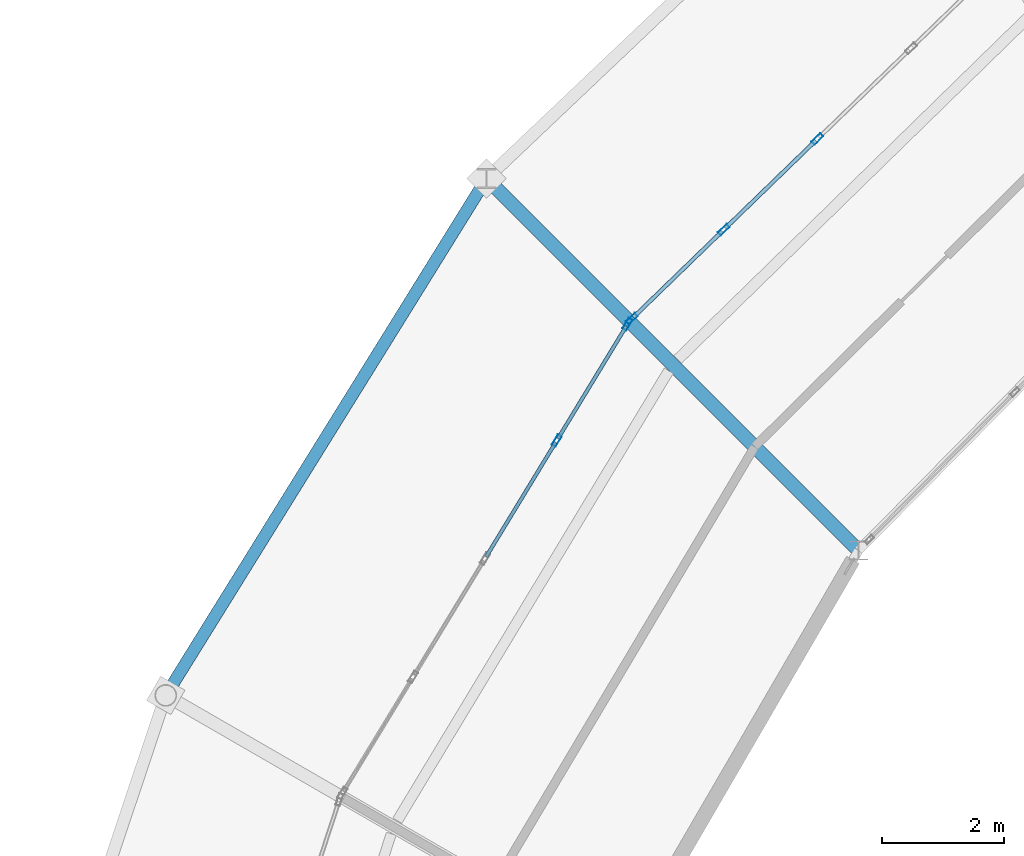
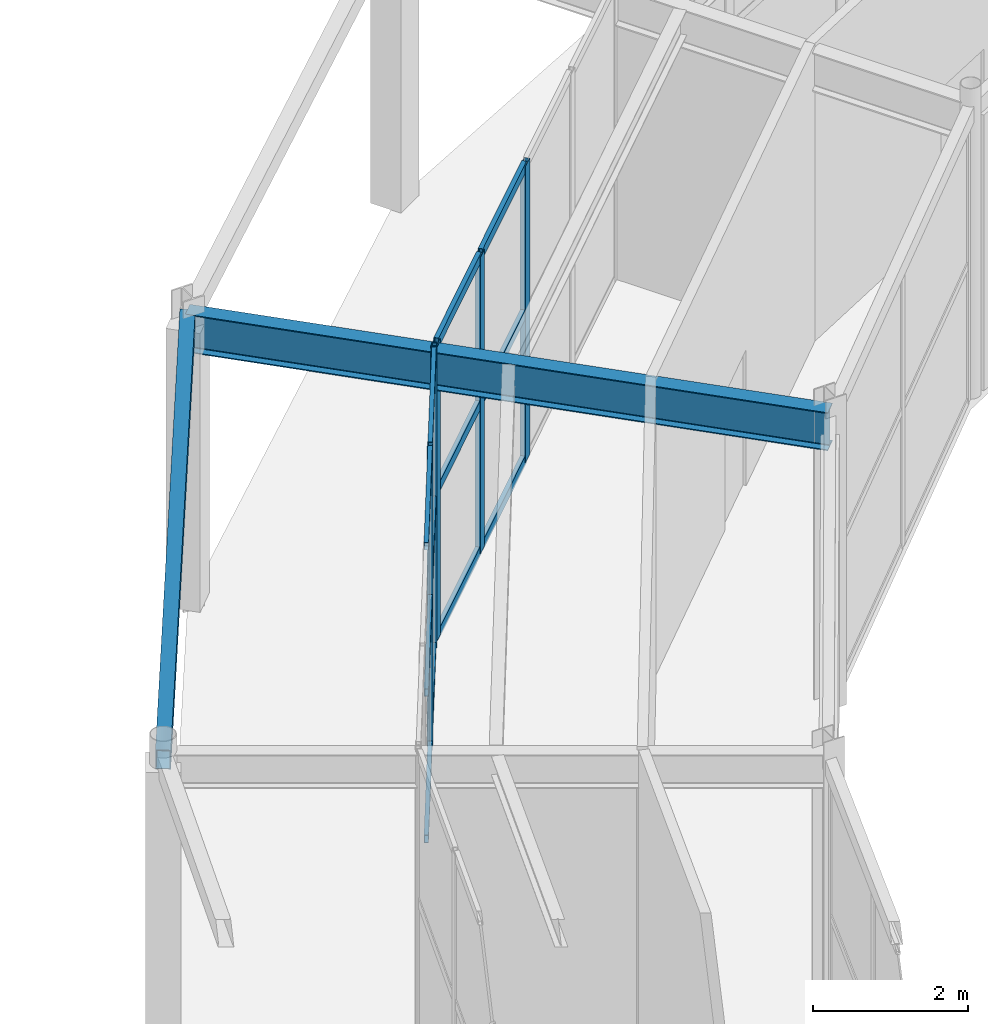
# One storey, part 77 of 144: 17 members, 2 beams, 2 elements without a shape of their own.
"""IFC4 building model written with IfcOpenShell, lengths in metres."""

from ifc_helpers import new_model, si_unit, direction, frame, origin, origin_2d, place, context, subcontext, project, spatial, hollow_rectangle, i_section, extrude, material, material_profile, profile_set, type_object, element, aggregate, save


model = new_model("IFC4")

# Units and contexts
model_context = context("Model", 3, precision=1e-05, world=origin(), true_north=direction((0.0, 1.0)))
body_context = subcontext(model_context, "Body", "Model", "MODEL_VIEW")
ifc_project = project(units=[si_unit("LENGTHUNIT", "METRE"), si_unit("AREAUNIT", "SQUARE_METRE"), si_unit("VOLUMEUNIT", "CUBIC_METRE"), si_unit("PLANEANGLEUNIT", "RADIAN"), si_unit("MASSUNIT", "GRAM", prefix="KILO")], contexts=[model_context])

# Site, building, storey
site_placement = place(None, origin())
site = spatial("IfcSite", under=ifc_project, at=site_placement, CompositionType="ELEMENT")
building_placement = place(site_placement, origin())
building = spatial("IfcBuilding", under=site, at=building_placement, Name="Karori Crest Natural Sciences Institute", CompositionType="ELEMENT")
storey_placement = place(building_placement, origin())
storey = spatial("IfcBuildingStorey", under=building, at=storey_placement, Name="L00", CompositionType="ELEMENT", Elevation=0.0)

# Beams
ifc_material_1 = material(Name="Hollow structural steel AS/NZS 1163 Grade C350", Category="steel")
ifc_material_profile_1 = material_profile(ifc_material_1, hollow_rectangle(XDim=0.199951171875, YDim=0.300048828125, WallThickness=0.010009765625, at=origin_2d()), Name="RHS300x200x10")
ifc_profile_set_1 = profile_set([ifc_material_profile_1], Name="Hollow structural steel AS/NZS 1163 Grade C350")
beam_type_1 = type_object("IfcBeamType", Name="BT-15", PredefinedType="SPANDREL", material=ifc_profile_set_1)
beam_1_placement = place(storey_placement, frame((43.0654296875, 78.75, 4.489990234375), z_axis=(-0.527315195609, -0.849669750244, 0.0), x_axis=(0.849669750244, -0.527315195609, 0.0)))
element("IfcBeam", 1, at=beam_1_placement, inside=storey, type_object=beam_type_1, Name="Beam B-0125", PredefinedType="SPANDREL", context=body_context, shape_type="SweptSolid", body=[
    extrude(hollow_rectangle(XDim=0.199951171875, YDim=0.300048828125, WallThickness=0.010009765625, at=origin_2d()), origin(), (0.0, 0.0, 1.0), 9.945068359375),
])
ifc_material_2 = material(Name="Structural steel AS/NZS 3679.1 Grade 350", Category="steel")
ifc_material_profile_2 = material_profile(ifc_material_2, i_section(OverallWidth=0.22802734375, OverallDepth=0.60205078125, WebThickness=0.010498046875, FlangeThickness=0.014892578125, FilletRadius=0.013916015625, at=origin_2d()), Name="610UB101")
ifc_profile_set_2 = profile_set([ifc_material_profile_2], Name="Structural steel AS/NZS 3679.1 Grade 350")
beam_type_2 = type_object("IfcBeamType", Name="BT-27", PredefinedType="BEAM", material=ifc_profile_set_2)
beam_2_placement = place(storey_placement, frame((49.146484375, 72.668701171875, 4.339111328125), z_axis=(-0.707092586958, 0.70712097513, 0.0), x_axis=(-0.70712097513, -0.707092586958, 0.0)))
element("IfcBeam", 2, at=beam_2_placement, inside=storey, type_object=beam_type_2, Name="Beam B-0127", PredefinedType="BEAM", context=body_context, shape_type="SweptSolid", body=[
    extrude(i_section(OverallWidth=0.22802734375, OverallDepth=0.60205078125, WebThickness=0.010498046875, FlangeThickness=0.014892578125, FilletRadius=0.013916015625, at=origin_2d()), origin(), (0.0, 0.0, 1.0), 8.60009765625),
])

# Curtain wall, members
ifc_material_3 = material(Name="Anodised architectural aluminium 6063-T6", Category="aluminium")
curtain_wall_type_1 = type_object("IfcCurtainWallType", Name="CWT-09", PredefinedType="NOTDEFINED", material=ifc_material_3)
curtain_wall_1_placement = place(storey_placement, origin())
curtain_wall_1 = element("IfcCurtainWall", 3, at=curtain_wall_1_placement, inside=storey, type_object=curtain_wall_type_1, Name="Curtain wall CW-0010", PredefinedType="NOTDEFINED")
ifc_material_profile_3 = material_profile(ifc_material_3, hollow_rectangle(XDim=0.074951171875, YDim=0.199951171875, WallThickness=0.0048828125, at=origin_2d()), Name="CWM200x75x5")
ifc_profile_set_3 = profile_set([ifc_material_profile_3], Name="Anodised architectural aluminium 6063-T6")
member_type_1 = type_object("IfcMemberType", Name="CWM-02", PredefinedType="MULLION", material=ifc_profile_set_3)
member_1_placement = place(storey_placement, frame((45.440185546875, 76.45654296875, 0.0), z_axis=(0.0, 0.0, 1.0), x_axis=(-0.695838899401, 0.718197901752, 0.0)))
member_1 = element("IfcMember", 4, at=member_1_placement, type_object=member_type_1, Name="CW-0010 mullion 1", PredefinedType="MULLION", context=body_context, shape_type="SweptSolid", body=[
    extrude(hollow_rectangle(XDim=0.074951171875, YDim=0.199951171875, WallThickness=0.0048828125, at=origin_2d()), origin(), (0.0, 0.0, 1.0), 4.679931640625),
])
member_2_placement = place(storey_placement, frame((46.94384765625, 77.913330078125, 0.0), z_axis=(0.0, 0.0, 1.0), x_axis=(-0.695838899401, 0.718197901752, 0.0)))
member_2 = element("IfcMember", 5, at=member_2_placement, type_object=member_type_1, Name="CW-0010 mullion 2", PredefinedType="MULLION", context=body_context, shape_type="SweptSolid", body=[
    extrude(hollow_rectangle(XDim=0.074951171875, YDim=0.199951171875, WallThickness=0.0048828125, at=origin_2d()), origin(), (0.0, 0.0, 1.0), 4.679931640625),
])
member_3_placement = place(storey_placement, frame((48.474365234375, 79.396240234375, 0.0), z_axis=(0.0, 0.0, 1.0), x_axis=(-0.695838899401, 0.718197901752, 0.0)))
member_3 = element("IfcMember", 6, at=member_3_placement, type_object=member_type_1, Name="CW-0010 mullion 3", PredefinedType="MULLION", context=body_context, shape_type="SweptSolid", body=[
    extrude(hollow_rectangle(XDim=0.074951171875, YDim=0.199951171875, WallThickness=0.0048828125, at=origin_2d()), origin(), (0.0, 0.0, 1.0), 4.679931640625),
])

curtain_wall_type_2 = type_object("IfcCurtainWallType", Name="CWT-10", PredefinedType="NOTDEFINED", material=ifc_material_3)
curtain_wall_2_placement = place(storey_placement, origin())
curtain_wall_2 = element("IfcCurtainWall", 7, at=curtain_wall_2_placement, inside=storey, type_object=curtain_wall_type_2, Name="Curtain wall CW-0012", PredefinedType="NOTDEFINED")
member_4_placement = place(storey_placement, frame((44.213623046875, 74.46630859375, 0.0), z_axis=(0.0, 0.0, 1.0), x_axis=(-0.854567337323, 0.519340606905, 0.0)))
member_4 = element("IfcMember", 8, at=member_4_placement, type_object=member_type_1, Name="CW-0012 mullion 4", PredefinedType="MULLION", context=body_context, shape_type="SweptSolid", body=[
    extrude(hollow_rectangle(XDim=0.074951171875, YDim=0.199951171875, WallThickness=0.0048828125, at=origin_2d()), origin(), (0.0, 0.0, 1.0), 4.679931640625),
])
member_5_placement = place(storey_placement, frame((45.369140625, 76.367431640625, 0.0), z_axis=(0.0, 0.0, 1.0), x_axis=(-0.854567337323, 0.519340606905, 0.0)))
member_5 = element("IfcMember", 9, at=member_5_placement, type_object=member_type_1, Name="CW-0012 mullion 5", PredefinedType="MULLION", context=body_context, shape_type="SweptSolid", body=[
    extrude(hollow_rectangle(XDim=0.074951171875, YDim=0.199951171875, WallThickness=0.0048828125, at=origin_2d()), origin(), (0.0, 0.0, 1.0), 4.679931640625),
])
ifc_material_profile_4 = material_profile(ifc_material_3, hollow_rectangle(XDim=0.06005859375, YDim=0.1201171875, WallThickness=0.00390625, at=origin_2d()), Name="CWT120x60x4")
ifc_profile_set_4 = profile_set([ifc_material_profile_4], Name="Anodised architectural aluminium 6063-T6")
member_type_2 = type_object("IfcMemberType", Name="CWT-TR1", PredefinedType="USERDEFINED", material=ifc_profile_set_4)
member_6_placement = place(storey_placement, frame((43.058349609375, 72.565185546875, 0.030029296875), z_axis=(0.519362558266, 0.85455399658, 0.0), x_axis=(-0.85455399658, 0.519362558266, 0.0)))
member_6 = element("IfcMember", 10, at=member_6_placement, type_object=member_type_2, Name="CW-0012 transom 3.1", ObjectType="TRANSOM", PredefinedType="USERDEFINED", context=body_context, shape_type="SweptSolid", body=[
    extrude(hollow_rectangle(XDim=0.06005859375, YDim=0.1201171875, WallThickness=0.00390625, at=origin_2d()), origin(), (0.0, 0.0, 1.0), 2.187255859375),
])
member_7_placement = place(storey_placement, frame((43.058349609375, 72.565185546875, 2.340087890625), z_axis=(0.519362558266, 0.85455399658, 0.0), x_axis=(-0.85455399658, 0.519362558266, 0.0)))
member_7 = element("IfcMember", 11, at=member_7_placement, type_object=member_type_2, Name="CW-0012 transom 3.2", ObjectType="TRANSOM", PredefinedType="USERDEFINED", context=body_context, shape_type="SweptSolid", body=[
    extrude(hollow_rectangle(XDim=0.06005859375, YDim=0.1201171875, WallThickness=0.00390625, at=origin_2d()), origin(), (0.0, 0.0, 1.0), 2.187255859375),
])
member_8_placement = place(storey_placement, frame((43.058349609375, 72.565185546875, 4.64990234375), z_axis=(0.519362558266, 0.85455399658, 0.0), x_axis=(-0.85455399658, 0.519362558266, 0.0)))
member_8 = element("IfcMember", 12, at=member_8_placement, type_object=member_type_2, Name="CW-0012 transom 3.3", ObjectType="TRANSOM", PredefinedType="USERDEFINED", context=body_context, shape_type="SweptSolid", body=[
    extrude(hollow_rectangle(XDim=0.06005859375, YDim=0.1201171875, WallThickness=0.00390625, at=origin_2d()), origin(), (0.0, 0.0, 1.0), 2.187255859375),
])
member_9_placement = place(storey_placement, frame((44.233154296875, 74.498291015625, 0.030029296875), z_axis=(0.519381148142, 0.854542698146, 0.0), x_axis=(-0.854542698146, 0.519381148142, 0.0)))
member_9 = element("IfcMember", 13, at=member_9_placement, type_object=member_type_2, Name="CW-0012 transom 4.1", ObjectType="TRANSOM", PredefinedType="USERDEFINED", context=body_context, shape_type="SweptSolid", body=[
    extrude(hollow_rectangle(XDim=0.06005859375, YDim=0.1201171875, WallThickness=0.00390625, at=origin_2d()), origin(), (0.0, 0.0, 1.0), 2.149658203125),
])
member_10_placement = place(storey_placement, frame((44.233154296875, 74.498291015625, 2.340087890625), z_axis=(0.519381148142, 0.854542698146, 0.0), x_axis=(-0.854542698146, 0.519381148142, 0.0)))
member_10 = element("IfcMember", 14, at=member_10_placement, type_object=member_type_2, Name="CW-0012 transom 4.2", ObjectType="TRANSOM", PredefinedType="USERDEFINED", context=body_context, shape_type="SweptSolid", body=[
    extrude(hollow_rectangle(XDim=0.06005859375, YDim=0.1201171875, WallThickness=0.00390625, at=origin_2d()), origin(), (0.0, 0.0, 1.0), 2.149658203125),
])
member_11_placement = place(storey_placement, frame((44.233154296875, 74.498291015625, 4.64990234375), z_axis=(0.519381148142, 0.854542698146, 0.0), x_axis=(-0.854542698146, 0.519381148142, 0.0)))
member_11 = element("IfcMember", 15, at=member_11_placement, type_object=member_type_2, Name="CW-0012 transom 4.3", ObjectType="TRANSOM", PredefinedType="USERDEFINED", context=body_context, shape_type="SweptSolid", body=[
    extrude(hollow_rectangle(XDim=0.06005859375, YDim=0.1201171875, WallThickness=0.00390625, at=origin_2d()), origin(), (0.0, 0.0, 1.0), 2.149658203125),
])
aggregate(curtain_wall_2, [member_4, member_5, member_6, member_7, member_8, member_9, member_10, member_11])

# Member
ifc_material_profile_5 = material_profile(ifc_material_3, hollow_rectangle(XDim=0.06494140625, YDim=0.14990234375, WallThickness=0.00390625, at=origin_2d()), Name="CWT150x65x4")
ifc_profile_set_5 = profile_set([ifc_material_profile_5], Name="Anodised architectural aluminium 6063-T6")
member_type_3 = type_object("IfcMemberType", Name="CWT-TR2", PredefinedType="USERDEFINED", material=ifc_profile_set_5)
member_12_placement = place(storey_placement, frame((45.46728515625, 76.482666015625, 0.032470703125), z_axis=(0.718206221639, 0.695830312073, 0.0), x_axis=(-0.695830312073, 0.718206221639, 0.0)))
member_12 = element("IfcMember", 16, at=member_12_placement, type_object=member_type_3, Name="CW-0010 transom 1.1", ObjectType="TRANSOM", PredefinedType="USERDEFINED", context=body_context, shape_type="SweptSolid", body=[
    extrude(hollow_rectangle(XDim=0.06494140625, YDim=0.14990234375, WallThickness=0.00390625, at=origin_2d()), origin(), (0.0, 0.0, 1.0), 2.0185546875),
])

member_13_placement = place(storey_placement, frame((45.46728515625, 76.482666015625, 2.340087890625), z_axis=(0.718206221639, 0.695830312073, 0.0), x_axis=(-0.695830312073, 0.718206221639, 0.0)))
member_13 = element("IfcMember", 17, at=member_13_placement, type_object=member_type_3, Name="CW-0010 transom 1.2", ObjectType="TRANSOM", PredefinedType="USERDEFINED", context=body_context, shape_type="SweptSolid", body=[
    extrude(hollow_rectangle(XDim=0.06494140625, YDim=0.14990234375, WallThickness=0.00390625, at=origin_2d()), origin(), (0.0, 0.0, 1.0), 2.0185546875),
])

member_14_placement = place(storey_placement, frame((45.46728515625, 76.482666015625, 4.6474609375), z_axis=(0.718206221639, 0.695830312073, 0.0), x_axis=(-0.695830312073, 0.718206221639, 0.0)))
member_14 = element("IfcMember", 18, at=member_14_placement, type_object=member_type_3, Name="CW-0010 transom 1.3", ObjectType="TRANSOM", PredefinedType="USERDEFINED", context=body_context, shape_type="SweptSolid", body=[
    extrude(hollow_rectangle(XDim=0.06494140625, YDim=0.14990234375, WallThickness=0.00390625, at=origin_2d()), origin(), (0.0, 0.0, 1.0), 2.0185546875),
])

member_15_placement = place(storey_placement, frame((46.970703125, 77.939453125, 0.032470703125), z_axis=(0.71823836846, 0.695797129968, 0.0), x_axis=(-0.695797129968, 0.71823836846, 0.0)))
member_15 = element("IfcMember", 19, at=member_15_placement, type_object=member_type_3, Name="CW-0010 transom 2.1", ObjectType="TRANSOM", PredefinedType="USERDEFINED", context=body_context, shape_type="SweptSolid", body=[
    extrude(hollow_rectangle(XDim=0.06494140625, YDim=0.14990234375, WallThickness=0.00390625, at=origin_2d()), origin(), (0.0, 0.0, 1.0), 2.05615234375),
])

member_16_placement = place(storey_placement, frame((46.970703125, 77.939453125, 2.340087890625), z_axis=(0.71823836846, 0.695797129968, 0.0), x_axis=(-0.695797129968, 0.71823836846, 0.0)))
member_16 = element("IfcMember", 20, at=member_16_placement, type_object=member_type_3, Name="CW-0010 transom 2.2", ObjectType="TRANSOM", PredefinedType="USERDEFINED", context=body_context, shape_type="SweptSolid", body=[
    extrude(hollow_rectangle(XDim=0.06494140625, YDim=0.14990234375, WallThickness=0.00390625, at=origin_2d()), origin(), (0.0, 0.0, 1.0), 2.05615234375),
])

member_17_placement = place(storey_placement, frame((46.970703125, 77.939453125, 4.6474609375), z_axis=(0.71823836846, 0.695797129968, 0.0), x_axis=(-0.695797129968, 0.71823836846, 0.0)))
member_17 = element("IfcMember", 21, at=member_17_placement, type_object=member_type_3, Name="CW-0010 transom 2.3", ObjectType="TRANSOM", PredefinedType="USERDEFINED", context=body_context, shape_type="SweptSolid", body=[
    extrude(hollow_rectangle(XDim=0.06494140625, YDim=0.14990234375, WallThickness=0.00390625, at=origin_2d()), origin(), (0.0, 0.0, 1.0), 2.05615234375),
])

aggregate(curtain_wall_1, [member_1, member_2, member_3, member_12, member_13, member_14, member_15, member_16, member_17])

save(model, "model.ifc")
